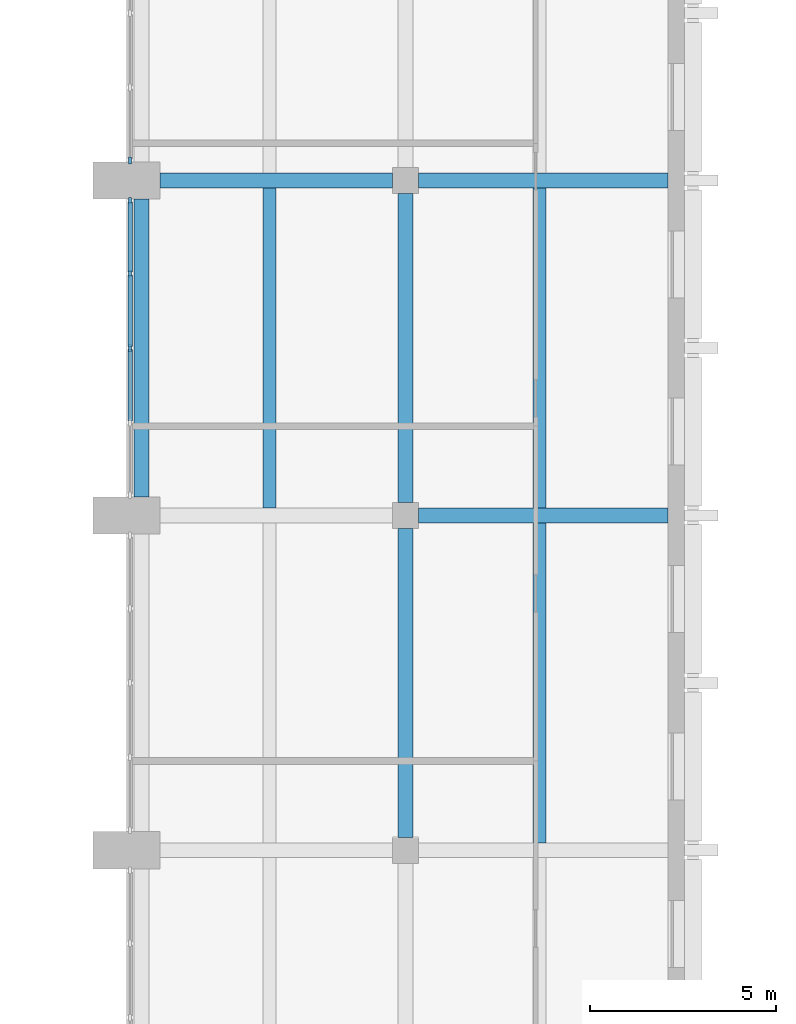
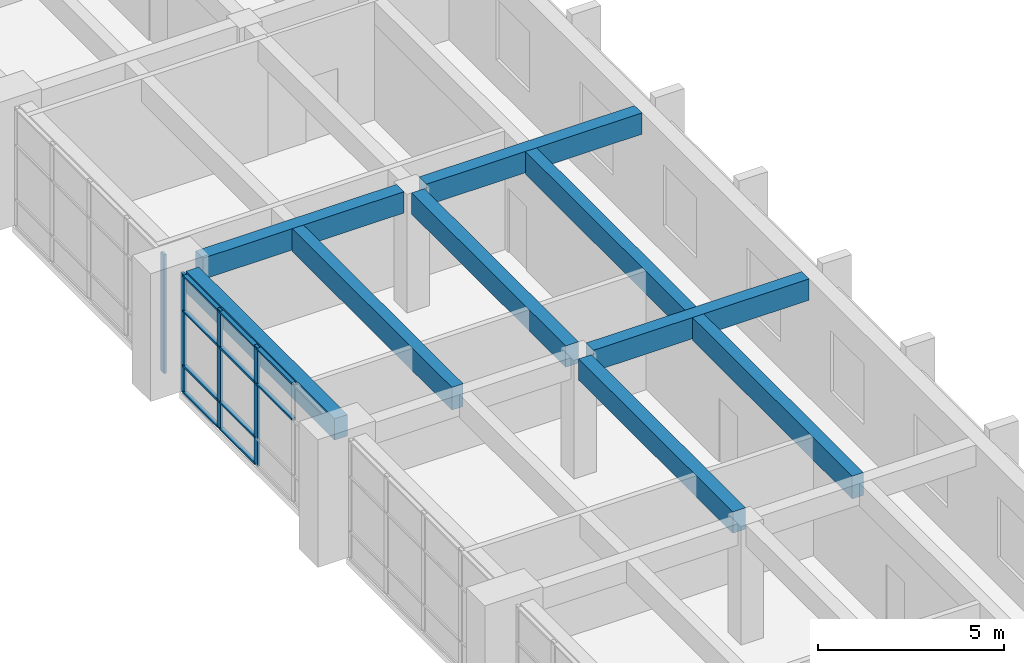
# One storey, part 13 of 43: 14 members, 9 beams, 2 elements without a shape of their own.
"""IFC4 building model written with IfcOpenShell, lengths in metres."""

from ifc_helpers import new_model, si_unit, direction, frame, origin, origin_2d, place, context, subcontext, project, spatial, rectangle, extrude, material, material_profile, profile_set, type_object, element, aggregate, save


model = new_model("IFC4")

# Units and contexts
model_context = context("Model", 3, precision=1e-05, world=origin(), true_north=direction((0.0, 1.0)))
body_context = subcontext(model_context, "Body", "Model", "MODEL_VIEW")
ifc_project = project(units=[si_unit("LENGTHUNIT", "METRE"), si_unit("AREAUNIT", "SQUARE_METRE"), si_unit("VOLUMEUNIT", "CUBIC_METRE"), si_unit("PLANEANGLEUNIT", "RADIAN"), si_unit("MASSUNIT", "GRAM", prefix="KILO")], contexts=[model_context])

# Site, building, storey
site_placement = place(None, origin())
site = spatial("IfcSite", under=ifc_project, at=site_placement, CompositionType="ELEMENT")
building_placement = place(site_placement, origin())
building = spatial("IfcBuilding", under=site, at=building_placement, Name="Elmora Arch Market Hall", CompositionType="ELEMENT")
storey_placement = place(building_placement, frame((0.0, 0.0, 10.199951171875)))
storey = spatial("IfcBuildingStorey", under=building, at=storey_placement, Name="L02", CompositionType="ELEMENT", Elevation=10.199951171875)

# Curtain wall, members
ifc_material_1 = material(Name="Aluminium", Category="aluminium")
curtain_wall_type = type_object("IfcCurtainWallType", Name="Hall front curtain wall", PredefinedType="NOTDEFINED", material=ifc_material_1)
curtain_wall_1_placement = place(storey_placement, origin())
curtain_wall_1 = element("IfcCurtainWall", 1, at=curtain_wall_1_placement, inside=storey, type_object=curtain_wall_type, Name="Wing front E L02 6", PredefinedType="NOTDEFINED")
ifc_material_2 = material(Name="Aluminium", Category="aluminium")
ifc_material_profile_1 = material_profile(ifc_material_2, rectangle(XDim=0.080078125, YDim=0.179931640625, at=origin_2d()), Name="AL 80x180")
ifc_profile_set_1 = profile_set([ifc_material_profile_1], Name="Aluminium")
member_type_1 = type_object("IfcMemberType", Name="Mullion 80x180", PredefinedType="MULLION", material=ifc_profile_set_1)
member_1_placement = place(storey_placement, frame((43.10009765625, 76.5, 0.0), z_axis=(0.0, 0.0, 1.0), x_axis=(-1.0, 0.0, 0.0)))
member_1 = element("IfcMember", 2, at=member_1_placement, type_object=member_type_1, Name="CW2 mullion 3", PredefinedType="MULLION", context=body_context, shape_type="SweptSolid", body=[
    extrude(rectangle(XDim=0.080078125, YDim=0.179931640625, at=origin_2d()), origin(), (0.0, 0.0, 1.0), 3.900146484375),
])
member_2_placement = place(storey_placement, frame((43.10009765625, 78.5, 0.0), z_axis=(0.0, 0.0, 1.0), x_axis=(-1.0, 0.0, 0.0)))
member_2 = element("IfcMember", 3, at=member_2_placement, type_object=member_type_1, Name="CW2 mullion 4", PredefinedType="MULLION", context=body_context, shape_type="SweptSolid", body=[
    extrude(rectangle(XDim=0.080078125, YDim=0.179931640625, at=origin_2d()), origin(), (0.0, 0.0, 1.0), 3.900146484375),
])
member_3_placement = place(storey_placement, frame((43.10009765625, 80.4599609375, 0.0), z_axis=(0.0, 0.0, 1.0), x_axis=(-1.0, 0.0, 0.0)))
member_3 = element("IfcMember", 4, at=member_3_placement, type_object=member_type_1, Name="CW2 mullion 5", PredefinedType="MULLION", context=body_context, shape_type="SweptSolid", body=[
    extrude(rectangle(XDim=0.080078125, YDim=0.179931640625, at=origin_2d()), origin(), (0.0, 0.0, 1.0), 3.900146484375),
])

# Curtain wall, member
curtain_wall_2_placement = place(storey_placement, origin())
curtain_wall_2 = element("IfcCurtainWall", 5, at=curtain_wall_2_placement, inside=storey, type_object=curtain_wall_type, Name="Wing front E L02 7", PredefinedType="NOTDEFINED")
member_4_placement = place(storey_placement, frame((43.10009765625, 81.5400390625, 0.0), z_axis=(0.0, 0.0, 1.0), x_axis=(-1.0, 0.0, 0.0)))
member_4 = element("IfcMember", 6, at=member_4_placement, type_object=member_type_1, Name="CW2 mullion 1", PredefinedType="MULLION", context=body_context, shape_type="SweptSolid", body=[
    extrude(rectangle(XDim=0.080078125, YDim=0.179931640625, at=origin_2d()), origin(), (0.0, 0.0, 1.0), 3.900146484375),
])
aggregate(curtain_wall_2, [member_4])

# Member
ifc_material_3 = material(Name="Aluminium", Category="aluminium")
ifc_material_profile_2 = material_profile(ifc_material_3, rectangle(XDim=0.1201171875, YDim=0.06005859375, at=origin_2d()), Name="AL 120x60")
ifc_profile_set_2 = profile_set([ifc_material_profile_2], Name="Aluminium")
member_type_2 = type_object("IfcMemberType", Name="Transom 120x60", PredefinedType="USERDEFINED", material=ifc_profile_set_2)
member_5_placement = place(storey_placement, frame((43.10009765625, 74.5400390625, 2.699951171875), z_axis=(0.0, 1.0, 0.0), x_axis=(-1.0, 0.0, 0.0)))
member_5 = element("IfcMember", 7, at=member_5_placement, type_object=member_type_2, Name="CW2 transom 2.3", ObjectType="TRANSOM", PredefinedType="USERDEFINED", context=body_context, shape_type="SweptSolid", body=[
    extrude(rectangle(XDim=0.1201171875, YDim=0.06005859375, at=origin_2d()), origin(), (0.0, 0.0, 1.0), 1.919921875),
])

member_6_placement = place(storey_placement, frame((43.10009765625, 74.5400390625, 3.8701171875), z_axis=(0.0, 1.0, 0.0), x_axis=(-1.0, 0.0, 0.0)))
member_6 = element("IfcMember", 8, at=member_6_placement, type_object=member_type_2, Name="CW2 transom 2.4", ObjectType="TRANSOM", PredefinedType="USERDEFINED", context=body_context, shape_type="SweptSolid", body=[
    extrude(rectangle(XDim=0.1201171875, YDim=0.06005859375, at=origin_2d()), origin(), (0.0, 0.0, 1.0), 1.919921875),
])

member_7_placement = place(storey_placement, frame((43.10009765625, 76.5400390625, 0.030029296875), z_axis=(0.0, 1.0, 0.0), x_axis=(-1.0, 0.0, 0.0)))
member_7 = element("IfcMember", 9, at=member_7_placement, type_object=member_type_2, Name="CW2 transom 3.1", ObjectType="TRANSOM", PredefinedType="USERDEFINED", context=body_context, shape_type="SweptSolid", body=[
    extrude(rectangle(XDim=0.1201171875, YDim=0.06005859375, at=origin_2d()), origin(), (0.0, 0.0, 1.0), 1.919921875),
])

member_8_placement = place(storey_placement, frame((43.10009765625, 76.5400390625, 0.900146484375), z_axis=(0.0, 1.0, 0.0), x_axis=(-1.0, 0.0, 0.0)))
member_8 = element("IfcMember", 10, at=member_8_placement, type_object=member_type_2, Name="CW2 transom 3.2", ObjectType="TRANSOM", PredefinedType="USERDEFINED", context=body_context, shape_type="SweptSolid", body=[
    extrude(rectangle(XDim=0.1201171875, YDim=0.06005859375, at=origin_2d()), origin(), (0.0, 0.0, 1.0), 1.919921875),
])

member_9_placement = place(storey_placement, frame((43.10009765625, 76.5400390625, 2.699951171875), z_axis=(0.0, 1.0, 0.0), x_axis=(-1.0, 0.0, 0.0)))
member_9 = element("IfcMember", 11, at=member_9_placement, type_object=member_type_2, Name="CW2 transom 3.3", ObjectType="TRANSOM", PredefinedType="USERDEFINED", context=body_context, shape_type="SweptSolid", body=[
    extrude(rectangle(XDim=0.1201171875, YDim=0.06005859375, at=origin_2d()), origin(), (0.0, 0.0, 1.0), 1.919921875),
])

member_10_placement = place(storey_placement, frame((43.10009765625, 76.5400390625, 3.8701171875), z_axis=(0.0, 1.0, 0.0), x_axis=(-1.0, 0.0, 0.0)))
member_10 = element("IfcMember", 12, at=member_10_placement, type_object=member_type_2, Name="CW2 transom 3.4", ObjectType="TRANSOM", PredefinedType="USERDEFINED", context=body_context, shape_type="SweptSolid", body=[
    extrude(rectangle(XDim=0.1201171875, YDim=0.06005859375, at=origin_2d()), origin(), (0.0, 0.0, 1.0), 1.919921875),
])

member_11_placement = place(storey_placement, frame((43.10009765625, 78.5400390625, 0.030029296875), z_axis=(0.0, 1.0, 0.0), x_axis=(-1.0, 0.0, 0.0)))
member_11 = element("IfcMember", 13, at=member_11_placement, type_object=member_type_2, Name="CW2 transom 4.1", ObjectType="TRANSOM", PredefinedType="USERDEFINED", context=body_context, shape_type="SweptSolid", body=[
    extrude(rectangle(XDim=0.1201171875, YDim=0.06005859375, at=origin_2d()), origin(), (0.0, 0.0, 1.0), 1.8798828125),
])

member_12_placement = place(storey_placement, frame((43.10009765625, 78.5400390625, 0.900146484375), z_axis=(0.0, 1.0, 0.0), x_axis=(-1.0, 0.0, 0.0)))
member_12 = element("IfcMember", 14, at=member_12_placement, type_object=member_type_2, Name="CW2 transom 4.2", ObjectType="TRANSOM", PredefinedType="USERDEFINED", context=body_context, shape_type="SweptSolid", body=[
    extrude(rectangle(XDim=0.1201171875, YDim=0.06005859375, at=origin_2d()), origin(), (0.0, 0.0, 1.0), 1.8798828125),
])

member_13_placement = place(storey_placement, frame((43.10009765625, 78.5400390625, 2.699951171875), z_axis=(0.0, 1.0, 0.0), x_axis=(-1.0, 0.0, 0.0)))
member_13 = element("IfcMember", 15, at=member_13_placement, type_object=member_type_2, Name="CW2 transom 4.3", ObjectType="TRANSOM", PredefinedType="USERDEFINED", context=body_context, shape_type="SweptSolid", body=[
    extrude(rectangle(XDim=0.1201171875, YDim=0.06005859375, at=origin_2d()), origin(), (0.0, 0.0, 1.0), 1.8798828125),
])

member_14_placement = place(storey_placement, frame((43.10009765625, 78.5400390625, 3.8701171875), z_axis=(0.0, 1.0, 0.0), x_axis=(-1.0, 0.0, 0.0)))
member_14 = element("IfcMember", 16, at=member_14_placement, type_object=member_type_2, Name="CW2 transom 4.4", ObjectType="TRANSOM", PredefinedType="USERDEFINED", context=body_context, shape_type="SweptSolid", body=[
    extrude(rectangle(XDim=0.1201171875, YDim=0.06005859375, at=origin_2d()), origin(), (0.0, 0.0, 1.0), 1.8798828125),
])

aggregate(curtain_wall_1, [member_1, member_2, member_3, member_5, member_6, member_7, member_8, member_9, member_10, member_11, member_12, member_13, member_14])

# Beams
ifc_material_4 = material(Name="Concrete C32/40", Category="concrete")
ifc_material_profile_3 = material_profile(ifc_material_4, rectangle(XDim=0.39990234375, YDim=0.699951171875, at=origin_2d()), Name="Wing beam 400x700")
ifc_profile_set_3 = profile_set([ifc_material_profile_3], Name="Concrete C32/40")
beam_type_1 = type_object("IfcBeamType", Name="Wing beam 400x700", PredefinedType="BEAM", material=ifc_profile_set_3)
beam_1_placement = place(storey_placement, frame((50.85009765625, 72.0, 3.550048828125), z_axis=(1.0, 0.0, 0.0), x_axis=(0.0, 1.0, 0.0)))
element("IfcBeam", 17, at=beam_1_placement, inside=storey, type_object=beam_type_1, Name="Wing beam ER6 L02.2", PredefinedType="BEAM", context=body_context, shape_type="SweptSolid", body=[
    extrude(rectangle(XDim=0.39990234375, YDim=0.699951171875, at=origin_2d()), origin(), (0.0, 0.0, 1.0), 6.699951171875),
])
beam_2_placement = place(storey_placement, frame((43.89990234375, 81.0, 3.550048828125), z_axis=(1.0, 0.0, 0.0), x_axis=(0.0, 1.0, 0.0)))
element("IfcBeam", 18, at=beam_2_placement, inside=storey, type_object=beam_type_1, Name="Wing beam ER7 L02.1", PredefinedType="BEAM", context=body_context, shape_type="SweptSolid", body=[
    extrude(rectangle(XDim=0.39990234375, YDim=0.699951171875, at=origin_2d()), origin(), (0.0, 0.0, 1.0), 6.25),
])
beam_3_placement = place(storey_placement, frame((50.85009765625, 81.0, 3.550048828125), z_axis=(1.0, 0.0, 0.0), x_axis=(0.0, 1.0, 0.0)))
element("IfcBeam", 19, at=beam_3_placement, inside=storey, type_object=beam_type_1, Name="Wing beam ER7 L02.2", PredefinedType="BEAM", context=body_context, shape_type="SweptSolid", body=[
    extrude(rectangle(XDim=0.39990234375, YDim=0.699951171875, at=origin_2d()), origin(), (0.0, 0.0, 1.0), 6.699951171875),
])
for number, where, z_axis, x_axis, name in (
    (20, (50.5, 63.35009765625, 3.550048828125), (0.0, 1.0, 0.0), (-1.0, 0.0, 0.0), "Wing beam EG L02.5"),
    (21, (50.5, 72.35009765625, 3.550048828125), (0.0, 1.0, 0.0), (-1.0, 0.0, 0.0), "Wing beam EG L02.6"),
):
    element("IfcBeam", number, at=place(storey_placement, frame(where, z_axis=z_axis, x_axis=x_axis)), inside=storey, type_object=beam_type_1, Name=name, PredefinedType="BEAM", context=body_context, shape_type="SweptSolid", body=[
        extrude(rectangle(XDim=0.39990234375, YDim=0.699951171875, at=origin_2d()), origin(), (0.0, 0.0, 1.0), 8.2998046875),
    ])
beam_4_placement = place(storey_placement, frame((43.39990234375, 72.5, 3.550048828125), z_axis=(0.0, 1.0, 0.0), x_axis=(-1.0, 0.0, 0.0)))
element("IfcBeam", 22, at=beam_4_placement, inside=storey, type_object=beam_type_1, Name="Wing beam EEB L02.6", PredefinedType="BEAM", context=body_context, shape_type="SweptSolid", body=[
    extrude(rectangle(XDim=0.39990234375, YDim=0.699951171875, at=origin_2d()), origin(), (0.0, 0.0, 1.0), 8.0),
])
ifc_material_5 = material(Name="Concrete C32/40", Category="concrete")
ifc_material_profile_4 = material_profile(ifc_material_5, rectangle(XDim=0.35009765625, YDim=0.75, at=origin_2d()), Name="Wing joist 350x750")
ifc_profile_set_4 = profile_set([ifc_material_profile_4], Name="Concrete C32/40")
beam_type_2 = type_object("IfcBeamType", Name="Wing joist 350x750", PredefinedType="JOIST", material=ifc_profile_set_4)
for number, where, z_axis, x_axis, name in (
    (23, (46.85009765625, 72.199951171875, 3.525146484375), (0.0, 1.0, 0.0), (-1.0, 0.0, 0.0), "Wing joist EJ1 L02.6"),
    (24, (54.10009765625, 63.199951171875, 3.525146484375), (0.0, 1.0, 0.0), (-1.0, 0.0, 0.0), "Wing joist EJ2 L02.5"),
    (25, (54.10009765625, 72.199951171875, 3.525146484375), (0.0, 1.0, 0.0), (-1.0, 0.0, 0.0), "Wing joist EJ2 L02.6"),
):
    element("IfcBeam", number, at=place(storey_placement, frame(where, z_axis=z_axis, x_axis=x_axis)), inside=storey, type_object=beam_type_2, Name=name, PredefinedType="JOIST", context=body_context, shape_type="SweptSolid", body=[
        extrude(rectangle(XDim=0.35009765625, YDim=0.75, at=origin_2d()), origin(), (0.0, 0.0, 1.0), 8.60009765625),
    ])

save(model, "model.ifc")
